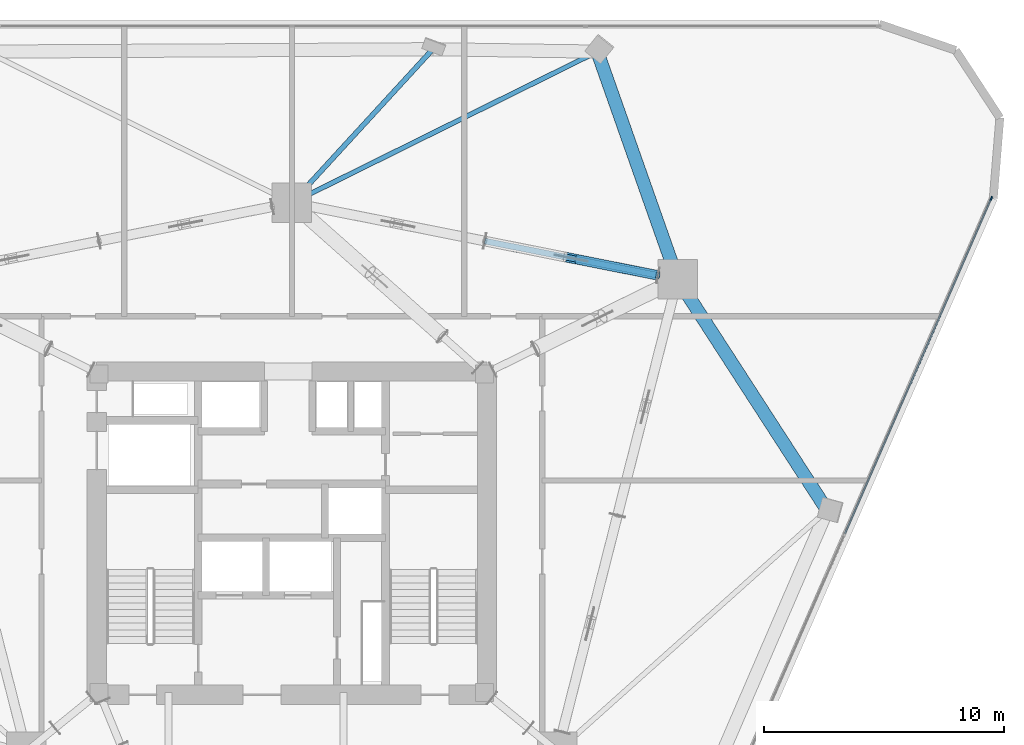
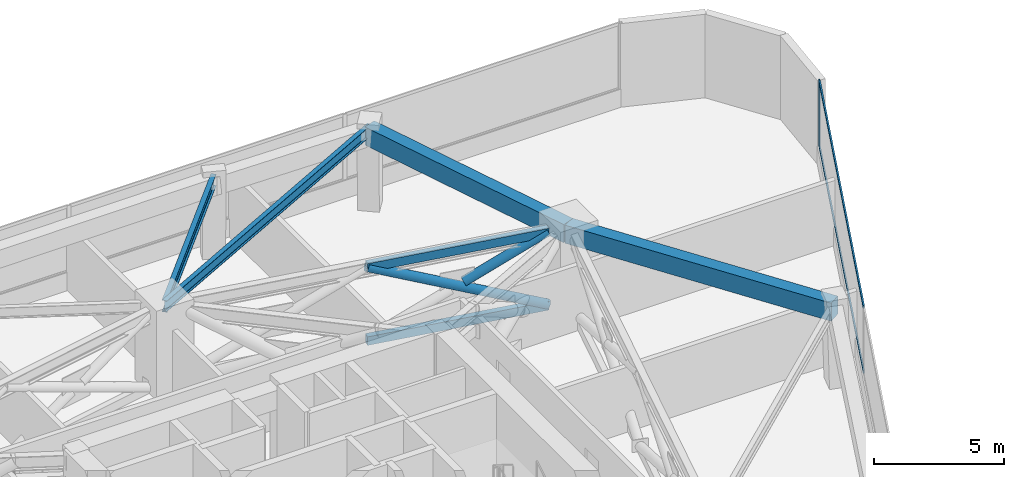
# One storey, part 7 of 14: 7 members, 4 beams, 1 element without a shape of its own.
"""IFC4 building model written with IfcOpenShell, lengths in metres."""

from ifc_helpers import new_model, si_unit, direction, frame, origin, origin_2d, place, context, subcontext, project, spatial, rectangle, hollow_rectangle, hollow_circle, i_section, extrude, material, layer, layer_set, material_profile, profile_set, type_object, element, aggregate, save


model = new_model("IFC4")

# Units and contexts
model_context = context("Model", 3, precision=1e-05, world=origin(), true_north=direction((0.0, 1.0)))
body_context = subcontext(model_context, "Body", "Model", "MODEL_VIEW")
ifc_project = project(units=[si_unit("LENGTHUNIT", "METRE"), si_unit("AREAUNIT", "SQUARE_METRE"), si_unit("VOLUMEUNIT", "CUBIC_METRE"), si_unit("PLANEANGLEUNIT", "RADIAN"), si_unit("MASSUNIT", "GRAM", prefix="KILO")], contexts=[model_context])

# Site, building, storey
site_placement = place(None, origin())
site = spatial("IfcSite", under=ifc_project, at=site_placement, CompositionType="ELEMENT")
building_placement = place(site_placement, origin())
building = spatial("IfcBuilding", under=site, at=building_placement, Name="Talyreon Biosciences Tower", CompositionType="ELEMENT")
storey_placement = place(building_placement, frame((0.0, 0.0, 123.0)))
storey = spatial("IfcBuildingStorey", under=building, at=storey_placement, Name="L32", CompositionType="ELEMENT", Elevation=123.0)

# Members
ifc_material_1 = material(Name="Steel SM355", Category="steel")
ifc_material_profile_1 = material_profile(ifc_material_1, hollow_circle(Radius=0.203125, WallThickness=0.01611328125, at=origin_2d()), Name="CHS 406.4x16")
ifc_profile_set_1 = profile_set([ifc_material_profile_1], Name="Steel SM355")
member_type_1 = type_object("IfcMemberType", Name="BeltBrace_CHS406", PredefinedType="BRACE", material=ifc_profile_set_1)
member_1_placement = place(storey_placement, frame((81.283203125, 78.760986328125, 0.239990234375), z_axis=(-0.889155553116, 0.176168183824, 0.422335380202), x_axis=(-0.194351808375, -0.980931890898, 0.0)))
element("IfcMember", 1, at=member_1_placement, inside=storey, type_object=member_type_1, Name="L32 Continuous Diagonal BELT-L32-B3S1A", PredefinedType="BRACE", context=body_context, shape_type="SweptSolid", body=[
    extrude(hollow_circle(Radius=0.203125, WallThickness=0.01611328125, at=origin_2d()), origin(), (0.0, 0.0, 1.0), 8.133544921875),
])
member_2_placement = place(storey_placement, frame((77.916259765625, 79.427978515625, 2.07568359375), z_axis=(0.88914793881, -0.17614039365, 0.422363001025), x_axis=(0.194323908823, 0.980937418218, 0.0)))
element("IfcMember", 2, at=member_2_placement, inside=storey, type_object=member_type_1, Name="L32 Split Diagonal BELT-L32-B3S1B-Upper", PredefinedType="BRACE", context=body_context, shape_type="SweptSolid", body=[
    extrude(hollow_circle(Radius=0.203125, WallThickness=0.01611328125, at=origin_2d()), origin(), (0.0, 0.0, 1.0), 3.78662109375),
])
ifc_material_profile_2 = material_profile(ifc_material_1, hollow_rectangle(XDim=0.25, YDim=0.39990234375, WallThickness=0.01611328125, at=origin_2d()), Name="RHS 400x250x16")
ifc_profile_set_2 = profile_set([ifc_material_profile_2], Name="Steel SM355")
member_type_2 = type_object("IfcMemberType", Name="BeltChord_RHS400x250", PredefinedType="CHORD", material=ifc_profile_set_2)
for number, where, z_axis, x_axis, name in (
    (3, (81.283203125, 78.760986328125, 0.239990234375), (-0.980931890898, 0.194351808375, 0.0), (-0.194351808375, -0.980931890898, 0.0), "L32 Truss Bottom Chord BELT-L32-B3S1"),
    (4, (81.283203125, 78.760986328125, 3.675048828125), (-0.980931890898, 0.194351808375, 0.0), (-0.194351808375, -0.980931890898, 0.0), "L32 Truss Top Chord BELT-L32-B3S1"),
):
    element("IfcMember", number, at=place(storey_placement, frame(where, z_axis=z_axis, x_axis=x_axis)), inside=storey, type_object=member_type_2, Name=name, PredefinedType="CHORD", context=body_context, shape_type="SweptSolid", body=[
        extrude(hollow_rectangle(XDim=0.25, YDim=0.39990234375, WallThickness=0.01611328125, at=origin_2d()), origin(), (0.0, 0.0, 1.0), 7.37255859375),
    ])

# Curtain wall, members
ifc_material_2 = material(Name="Thermally broken aluminium and low-E glazing", Category="aluminium")
ifc_layer = layer(ifc_material_2, 0.18994140625)
ifc_layer_set = layer_set([ifc_layer], Name="Thermally broken aluminium and low-E glazing")
curtain_wall_type = type_object("IfcCurtainWallType", Name="CurtainWall_Zone2Genomics", PredefinedType="NOTDEFINED", material=ifc_layer_set)
curtain_wall_placement = place(storey_placement, origin())
curtain_wall = element("IfcCurtainWall", 5, at=curtain_wall_placement, inside=storey, type_object=curtain_wall_type, Name="L32 Unitised Curtain Wall FCW-L32-08", PredefinedType="NOTDEFINED")
ifc_material_3 = material(Name="Anodised thermally broken aluminium", Category="aluminium")
ifc_material_profile_3 = material_profile(ifc_material_3, rectangle(XDim=0.06494140625, YDim=0.179931640625, at=origin_2d()), Name="ALUM MULLION 65x180")
ifc_profile_set_3 = profile_set([ifc_material_profile_3], Name="Anodised thermally broken aluminium")
member_type_3 = type_object("IfcMemberType", Name="CWMullion_65x180", PredefinedType="MULLION", material=ifc_profile_set_3)
member_3_placement = place(storey_placement, frame((95.202392578125, 81.974853515625, 0.81005859375), z_axis=(0.0, 0.0, 1.0), x_axis=(0.916489607057, -0.400058495919, 0.0)))
member_3 = element("IfcMember", 6, at=member_3_placement, type_object=member_type_3, Name="CW3 mullion 1", PredefinedType="MULLION", context=body_context, shape_type="SweptSolid", body=[
    extrude(rectangle(XDim=0.06494140625, YDim=0.179931640625, at=origin_2d()), origin(), (0.0, 0.0, 1.0), 3.114990234375),
])
ifc_material_profile_4 = material_profile(ifc_material_3, rectangle(XDim=0.06494140625, YDim=0.139892578125, at=origin_2d()), Name="ALUM TRANSOM 65x140")
ifc_profile_set_4 = profile_set([ifc_material_profile_4], Name="Anodised thermally broken aluminium")
member_type_4 = type_object("IfcMemberType", Name="CWTransom_65x140", PredefinedType="USERDEFINED", material=ifc_profile_set_4)
member_4_placement = place(storey_placement, frame((95.189453125, 81.945068359375, 0.842529296875), z_axis=(-0.400060037809, -0.916488934002, 0.0), x_axis=(0.916488934002, -0.400060037809, 0.0)))
member_4 = element("IfcMember", 7, at=member_4_placement, type_object=member_type_4, Name="CW3 transom 1.1", ObjectType="TRANSOM", PredefinedType="USERDEFINED", context=body_context, shape_type="SweptSolid", body=[
    extrude(rectangle(XDim=0.06494140625, YDim=0.139892578125, at=origin_2d()), origin(), (0.0, 0.0, 1.0), 15.227294921875),
])
member_5_placement = place(storey_placement, frame((95.189453125, 81.945068359375, 3.892578125), z_axis=(-0.400060037809, -0.916488934002, 0.0), x_axis=(0.916488934002, -0.400060037809, 0.0)))
member_5 = element("IfcMember", 8, at=member_5_placement, type_object=member_type_4, Name="CW3 transom 1.2", ObjectType="TRANSOM", PredefinedType="USERDEFINED", context=body_context, shape_type="SweptSolid", body=[
    extrude(rectangle(XDim=0.06494140625, YDim=0.139892578125, at=origin_2d()), origin(), (0.0, 0.0, 1.0), 15.227294921875),
])
aggregate(curtain_wall, [member_3, member_4, member_5])

# Beams
ifc_material_4 = material(Name="Precast concrete C45/55", Category="concrete")
ifc_material_profile_5 = material_profile(ifc_material_4, rectangle(XDim=0.550048828125, YDim=0.85009765625, at=origin_2d()), Name="RCB 550x850")
ifc_profile_set_5 = profile_set([ifc_material_profile_5], Name="Precast concrete C45/55")
beam_type_1 = type_object("IfcBeamType", Name="ExpressedSpandrel_550x850", PredefinedType="SPANDREL", material=ifc_profile_set_5)
beam_1_placement = place(storey_placement, frame((88.349365234375, 68.94970703125, 3.5), z_axis=(-0.543474946506, 0.839425388299, 0.0), x_axis=(-0.839425388299, -0.543474946506, 0.0)))
element("IfcBeam", 9, at=beam_1_placement, inside=storey, type_object=beam_type_1, Name="L32 Expressed Horizontal Concrete Spandrel 04", PredefinedType="SPANDREL", context=body_context, shape_type="SweptSolid", body=[
    extrude(rectangle(XDim=0.550048828125, YDim=0.85009765625, at=origin_2d()), origin(), (0.0, 0.0, 1.0), 11.49462890625),
])
beam_2_placement = place(storey_placement, frame((82.102294921875, 78.5986328125, 3.5), z_axis=(-0.332453869538, 0.94311951768, 0.0), x_axis=(-0.94311951768, -0.332453869538, 0.0)))
element("IfcBeam", 10, at=beam_2_placement, inside=storey, type_object=beam_type_1, Name="L32 Expressed Horizontal Concrete Spandrel 05", PredefinedType="SPANDREL", context=body_context, shape_type="SweptSolid", body=[
    extrude(rectangle(XDim=0.550048828125, YDim=0.85009765625, at=origin_2d()), origin(), (0.0, 0.0, 1.0), 10.07763671875),
])
ifc_material_profile_6 = material_profile(ifc_material_1, i_section(OverallWidth=0.199951171875, OverallDepth=0.5, WebThickness=0.01025390625, FlangeThickness=0.01611328125, FilletRadius=0.02099609375, at=origin_2d()), Name="IPE500")
ifc_profile_set_6 = profile_set([ifc_material_profile_6], Name="Steel SM355")
beam_type_2 = type_object("IfcBeamType", Name="SteelJoist_IPE500", PredefinedType="JOIST", material=ifc_profile_set_6)
beam_3_placement = place(storey_placement, frame((66.0, 81.788818359375, 3.675048828125), z_axis=(0.896156762026, 0.44373760025, 0.0), x_axis=(-0.44373760025, 0.896156762026, 0.0)))
element("IfcBeam", 11, at=beam_3_placement, inside=storey, type_object=beam_type_2, Name="L32 Radial Composite Floor Joist PC-N1", PredefinedType="JOIST", context=body_context, shape_type="SweptSolid", body=[
    extrude(i_section(OverallWidth=0.199951171875, OverallDepth=0.5, WebThickness=0.01025390625, FlangeThickness=0.01611328125, FilletRadius=0.02099609375, at=origin_2d()), origin(), (0.0, 0.0, 1.0), 14.2294921875),
])
ifc_material_profile_7 = material_profile(ifc_material_1, i_section(OverallWidth=0.2099609375, OverallDepth=0.550048828125, WebThickness=0.010986328125, FlangeThickness=0.01708984375, FilletRadius=0.02392578125, at=origin_2d()), Name="IPE550")
ifc_profile_set_7 = profile_set([ifc_material_profile_7], Name="Steel SM355")
beam_type_3 = type_object("IfcBeamType", Name="SteelJoist_IPE550", PredefinedType="JOIST", material=ifc_profile_set_7)
beam_4_placement = place(storey_placement, frame((66.0, 81.788818359375, 3.64990234375), z_axis=(0.676095379983, 0.736814113034, 0.0), x_axis=(-0.736814113034, 0.676095379983, 0.0)))
element("IfcBeam", 12, at=beam_4_placement, inside=storey, type_object=beam_type_3, Name="L32 Radial Composite Floor Joist PL-N", PredefinedType="JOIST", context=body_context, shape_type="SweptSolid", body=[
    extrude(i_section(OverallWidth=0.2099609375, OverallDepth=0.550048828125, WebThickness=0.010986328125, FlangeThickness=0.01708984375, FilletRadius=0.02392578125, at=origin_2d()), origin(), (0.0, 0.0, 1.0), 8.705078125),
])

save(model, "model.ifc")
